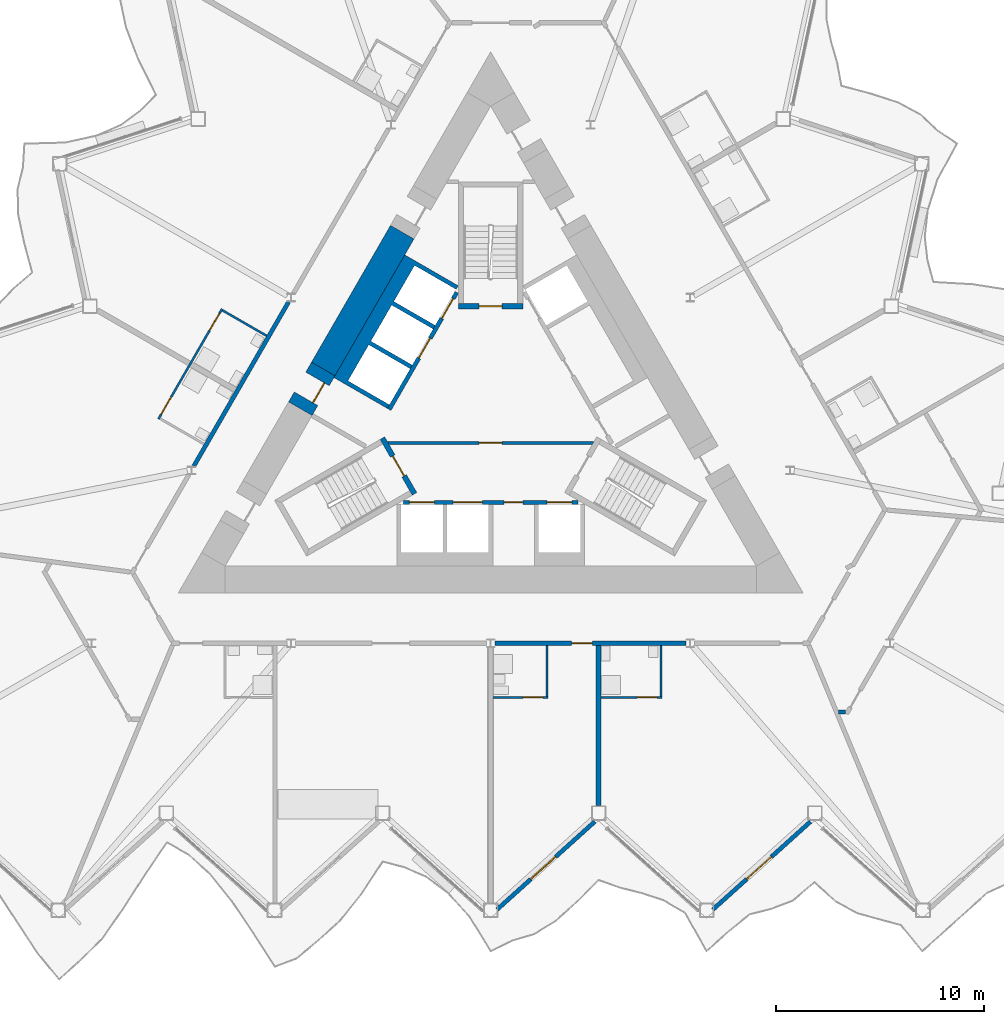
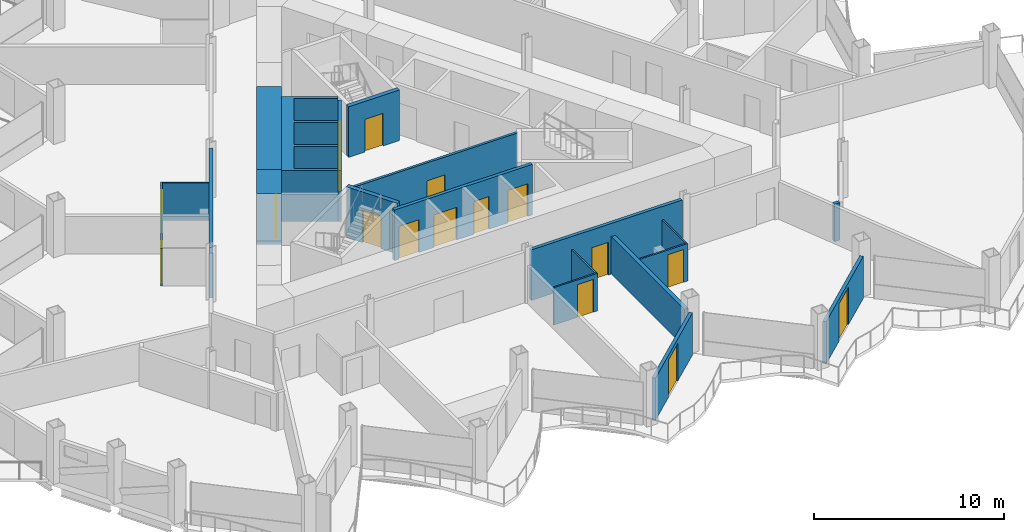
# One storey, part 12 of 23: 20 walls, 17 doors, 17 openings.
"""IFC4 building model written with IfcOpenShell, lengths in metres."""

from ifc_helpers import new_model, si_unit, direction, frame, frame_2d, origin, place, context, subcontext, project, spatial, polyline, rectangle, outline, extrude, material, layer, layer_set, type_object, element, fill, save


model = new_model("IFC4")

# Units and contexts
model_context = context("Model", 3, precision=1e-05, world=origin(), true_north=direction((0.0, 1.0)))
body_context = subcontext(model_context, "Body", "Model", "MODEL_VIEW")
ifc_project = project(units=[si_unit("LENGTHUNIT", "METRE"), si_unit("AREAUNIT", "SQUARE_METRE"), si_unit("VOLUMEUNIT", "CUBIC_METRE"), si_unit("PLANEANGLEUNIT", "RADIAN"), si_unit("MASSUNIT", "GRAM", prefix="KILO")], contexts=[model_context])

# Site, building, storey
site_placement = place(None, origin())
site = spatial("IfcSite", under=ifc_project, at=site_placement, CompositionType="ELEMENT")
building_placement = place(site_placement, origin())
building = spatial("IfcBuilding", under=site, at=building_placement, Name="Cormorant Prow Tower", CompositionType="ELEMENT")
storey_placement = place(building_placement, frame((0.0, 0.0, 259.800048828125)))
storey = spatial("IfcBuildingStorey", under=building, at=storey_placement, Name="L58", CompositionType="ELEMENT", Elevation=259.800048828125)

# Wall, opening, door
ifc_material_1 = material(Name="Gypsum board partition")
ifc_layer_1 = layer(ifc_material_1, 0.14990234375)
ifc_layer_set_1 = layer_set([ifc_layer_1], Name="Gypsum board partition")
wall_type_1 = type_object("IfcWallType", Name="Core partition 150", PredefinedType="PARTITIONING", material=ifc_layer_set_1)
wall_1_placement = place(storey_placement, frame((-4.941162109375, -1.449951171875, 0.0), z_axis=(0.0, 0.0, 1.0), x_axis=(1.0, 0.0, 0.0)))
wall_1 = element("IfcWall", 1, at=wall_1_placement, inside=storey, type_object=wall_type_1, Name="Firefighting lobby partition", PredefinedType="PARTITIONING", context=body_context, shape_type="SweptSolid", body=[
    extrude(rectangle(XDim=9.88232421875, YDim=0.14990234375, at=frame_2d((4.941162109375, 0.0))), origin(), (0.0, 0.0, 1.0), 3.25),
])
opening_1_placement = place(wall_1_placement, frame((4.39111328125, 0.0, 0.0)))
opening_1 = element("IfcOpeningElement", 2, at=opening_1_placement, cuts=wall_1, Name="Opening L58-C10", PredefinedType="OPENING", context=body_context, shape_type="SweptSolid", body=[
    extrude(rectangle(XDim=1.10009765625, YDim=2.10009765625, at=frame_2d((0.550048828125, 1.050048828125))), frame((0.0, 0.0849609375, 0.0), z_axis=(0.0, -1.0, 0.0), x_axis=(1.0, 0.0, 0.0)), (0.0, 0.0, 1.0), 0.169921875),
])
ifc_material_2 = material(Name="Painted steel", Category="steel")
door_type_1 = type_object("IfcDoorType", Name="Firefighting lobby door 1100x2100", OperationType="NOTDEFINED", PredefinedType="DOOR", material=ifc_material_2)
door_1_placement = place(opening_1_placement, origin())
door_1 = element("IfcDoor", 3, at=door_1_placement, inside=storey, type_object=door_type_1, Name="Firefighting lobby door", OperationType="SINGLE_SWING_RIGHT", OverallHeight=2.10009765625, OverallWidth=1.10009765625, PredefinedType="DOOR", context=body_context, shape_type="SweptSolid", body=[
    extrude(rectangle(XDim=1.10009765625, YDim=2.10009765625, at=frame_2d((0.550048828125, 1.050048828125))), frame((0.0, 0.02490234375, 0.0), z_axis=(0.0, -1.0, 0.0), x_axis=(1.0, 0.0, 0.0)), (0.0, 0.0, 1.0), 0.050048828125),
])
fill(opening_1, door_1)

# Wall
ifc_material_3 = material(Name="Concrete 8000 psi", Category="concrete")
ifc_layer_2 = layer(ifc_material_3, 1.300048828125)
ifc_layer_set_2 = layer_set([ifc_layer_2], Name="Concrete 8000 psi")
wall_type_2 = type_object("IfcWallType", Name="Core shear wall 1300", PredefinedType="SHEAR", material=ifc_layer_set_2)
wall_2_placement = place(storey_placement, frame((-4.2451171875, 8.667724609375, 0.0), z_axis=(0.0, 0.0, 1.0), x_axis=(-0.500002971097, -0.866023688414, 0.0)))
element("IfcWall", 4, at=wall_2_placement, inside=storey, type_object=wall_type_2, Name="Core wall", PredefinedType="SHEAR", context=body_context, shape_type="SweptSolid", body=[
    extrude(rectangle(XDim=7.583984375, YDim=1.300048828125, at=frame_2d((3.7919921875, 0.0))), origin(), (0.0, 0.0, 1.0), 3.25),
])

# Wall, opening, door
wall_3_placement = place(storey_placement, frame((-8.037109375, 2.099853515625, 0.0), z_axis=(0.0, 0.0, 1.0), x_axis=(-0.50002983664, -0.866008176907, 0.0)))
wall_3 = element("IfcWall", 5, at=wall_3_placement, inside=storey, type_object=wall_type_2, Name="Core wall door panel", PredefinedType="SHEAR", context=body_context, shape_type="SweptSolid", body=[
    extrude(rectangle(XDim=2.199951171875, YDim=1.300048828125, at=frame_2d((1.10009765625, 0.0))), origin(), (0.0, 0.0, 1.0), 3.25),
])
opening_2_placement = place(wall_3_placement, frame((0.550048828125, 0.0, 0.0)))
opening_2 = element("IfcOpeningElement", 6, at=opening_2_placement, cuts=wall_3, Name="Opening L58-C19", PredefinedType="OPENING", context=body_context, shape_type="SweptSolid", body=[
    extrude(rectangle(XDim=1.10009765625, YDim=2.10009765625, at=frame_2d((0.550048828125, 1.050048828125))), frame((0.0, 0.659912109375, 0.0), z_axis=(0.0, -1.0, 0.0), x_axis=(1.0, 0.0, 0.0)), (0.0, 0.0, 1.0), 1.320068359375),
])
ifc_material_4 = material(Name="Painted steel", Category="steel")
door_type_2 = type_object("IfcDoorType", Name="Core door 1100x2100", OperationType="NOTDEFINED", PredefinedType="DOOR", material=ifc_material_4)
door_2_placement = place(opening_2_placement, origin())
door_2 = element("IfcDoor", 7, at=door_2_placement, inside=storey, type_object=door_type_2, Name="Core door, lift lobby", OperationType="SINGLE_SWING_RIGHT", OverallHeight=2.10009765625, OverallWidth=1.10009765625, PredefinedType="DOOR", context=body_context, shape_type="SweptSolid", body=[
    extrude(rectangle(XDim=1.10009765625, YDim=2.10009765625, at=frame_2d((0.550048828125, 1.050048828125))), frame((0.0, 0.40478515625, 0.0), z_axis=(0.0, -1.0, 0.0), x_axis=(1.0, 0.0, 0.0)), (0.0, 0.0, 1.0), 0.050048828125),
])
fill(opening_2, door_2)

ifc_material_5 = material(Name="Gypsum board corridor wall")
ifc_layer_3 = layer(ifc_material_5, 0.199951171875)
ifc_layer_set_3 = layer_set([ifc_layer_3], Name="Gypsum board corridor wall")
wall_type_3 = type_object("IfcWallType", Name="Corridor wall 200", PredefinedType="PARTITIONING", material=ifc_layer_set_3)
wall_4_placement = place(storey_placement, frame((0.20947265625, -11.060302734375, 0.0), z_axis=(0.0, 0.0, 1.0), x_axis=(1.0, 0.0, 0.0)))
wall_4 = element("IfcWall", 8, at=wall_4_placement, inside=storey, type_object=wall_type_3, Name="Corridor wall", PredefinedType="PARTITIONING", context=body_context, shape_type="SweptSolid", body=[
    extrude(rectangle(XDim=9.159423828125, YDim=0.199951171875, at=frame_2d((4.57958984375, 0.0))), origin(), (0.0, 0.0, 1.0), 3.25),
])
opening_3_placement = place(wall_4_placement, frame((3.676513671875, 0.0, 0.0)))
opening_3 = element("IfcOpeningElement", 9, at=opening_3_placement, cuts=wall_4, Name="Opening L58-F04", PredefinedType="OPENING", context=body_context, shape_type="SweptSolid", body=[
    extrude(rectangle(XDim=1.0, YDim=2.10009765625, at=frame_2d((0.5, 1.050048828125))), frame((0.0, 0.10986328125, 0.0), z_axis=(0.0, -1.0, 0.0), x_axis=(1.0, 0.0, 0.0)), (0.0, 0.0, 1.0), 0.219970703125),
])
ifc_material_6 = material(Name="Timber door leaf", Category="wood")
door_type_3 = type_object("IfcDoorType", Name="Flat or room entrance door 1000x2100", OperationType="NOTDEFINED", PredefinedType="DOOR", material=ifc_material_6)
door_3_placement = place(opening_3_placement, origin())
door_3 = element("IfcDoor", 10, at=door_3_placement, inside=storey, type_object=door_type_3, Name="Guest room door", OperationType="SINGLE_SWING_RIGHT", OverallHeight=2.10009765625, OverallWidth=1.0, PredefinedType="DOOR", context=body_context, shape_type="SweptSolid", body=[
    extrude(rectangle(XDim=1.0, YDim=2.10009765625, at=frame_2d((0.5, 1.050048828125))), frame((0.0, 0.02490234375, 0.0), z_axis=(0.0, -1.0, 0.0), x_axis=(1.0, 0.0, 0.0)), (0.0, 0.0, 1.0), 0.050048828125),
])
fill(opening_3, door_3)

# Walls
wall_5_placement = place(storey_placement, frame((-14.24658203125, -2.5556640625, 0.0), z_axis=(0.0, 0.0, 1.0), x_axis=(0.49998193945, 0.866035830797, 0.0)))
element("IfcWall", 11, at=wall_5_placement, inside=storey, type_object=wall_type_3, Name="Corridor wall", PredefinedType="PARTITIONING", context=body_context, shape_type="SweptSolid", body=[
    extrude(rectangle(XDim=9.094482421875, YDim=0.199951171875, at=frame_2d((4.54736328125, 0.0))), origin(), (0.0, 0.0, 1.0), 3.25),
])
ifc_material_7 = material(Name="Gypsum board demising wall")
ifc_layer_4 = layer(ifc_material_7, 0.199951171875)
ifc_layer_set_4 = layer_set([ifc_layer_4], Name="Gypsum board demising wall")
wall_type_4 = type_object("IfcWallType", Name="Demising wall 200", PredefinedType="PARTITIONING", material=ifc_layer_set_4)
wall_6_placement = place(storey_placement, frame((16.69775390625, -14.3603515625, 0.0), z_axis=(0.0, 0.0, 1.0), x_axis=(1.0, 0.0, 0.0)))
element("IfcWall", 12, at=wall_6_placement, inside=storey, type_object=wall_type_4, Name="Demising wall", PredefinedType="PARTITIONING", context=body_context, shape_type="SweptSolid", body=[
    extrude(rectangle(XDim=0.33837890625, YDim=0.199951171875, at=frame_2d((0.169189453125, 0.0))), origin(), (0.0, 0.0, 1.0), 2.404052734375),
])

# Wall, openings, doors
ifc_material_8 = material(Name="Gypsum board partition")
ifc_layer_5 = layer(ifc_material_8, 0.10009765625)
ifc_layer_set_5 = layer_set([ifc_layer_5], Name="Gypsum board partition")
wall_type_5 = type_object("IfcWallType", Name="Internal partition 100", PredefinedType="PARTITIONING", material=ifc_layer_set_5)
wall_7_placement = place(storey_placement, frame((-15.94482421875, -0.296875, 0.0), z_axis=(0.0, 0.0, 1.0), x_axis=(0.499978833458, 0.866037623948, 0.0)))
wall_7 = element("IfcWall", 13, at=wall_7_placement, inside=storey, type_object=wall_type_5, Name="Internal partition", PredefinedType="PARTITIONING", context=body_context, shape_type="SweptSolid", body=[
    extrude(rectangle(XDim=6.099853515625, YDim=0.10009765625, at=frame_2d((3.0498046875, 0.0))), origin(), (0.0, 0.0, 1.0), 2.404052734375),
])
opening_4_placement = place(wall_7_placement, frame((4.89990234375, 0.0, 0.0)))
opening_4 = element("IfcOpeningElement", 14, at=opening_4_placement, cuts=wall_7, Name="Opening L58-F22", PredefinedType="OPENING", context=body_context, shape_type="SweptSolid", body=[
    extrude(rectangle(XDim=0.949951171875, YDim=2.10009765625, at=frame_2d((0.47509765625, 1.050048828125))), frame((0.0, 0.06005859375, 0.0), z_axis=(0.0, -1.0, 0.0), x_axis=(1.0, 0.0, 0.0)), (0.0, 0.0, 1.0), 0.1201171875),
])
opening_5_placement = place(wall_7_placement, frame((0.25, 0.0, 0.0)))
opening_5 = element("IfcOpeningElement", 15, at=opening_5_placement, cuts=wall_7, Name="Opening L58-F24", PredefinedType="OPENING", context=body_context, shape_type="SweptSolid", body=[
    extrude(rectangle(XDim=0.949951171875, YDim=2.10009765625, at=frame_2d((0.47509765625, 1.050048828125))), frame((0.0, 0.06005859375, 0.0), z_axis=(0.0, -1.0, 0.0), x_axis=(1.0, 0.0, 0.0)), (0.0, 0.0, 1.0), 0.1201171875),
])
ifc_material_9 = material(Name="Timber door leaf", Category="wood")
door_type_4 = type_object("IfcDoorType", Name="Bathroom door 950x2100", OperationType="NOTDEFINED", PredefinedType="DOOR", material=ifc_material_9)
door_4_placement = place(opening_4_placement, origin())
door_4 = element("IfcDoor", 16, at=door_4_placement, inside=storey, type_object=door_type_4, Name="Executive suite bedroom door", OperationType="SINGLE_SWING_RIGHT", OverallHeight=2.10009765625, OverallWidth=0.949951171875, PredefinedType="DOOR", context=body_context, shape_type="SweptSolid", body=[
    extrude(rectangle(XDim=0.949951171875, YDim=2.10009765625, at=frame_2d((0.47509765625, 1.050048828125))), frame((0.0, 0.02490234375, 0.0), z_axis=(0.0, -1.0, 0.0), x_axis=(1.0, 0.0, 0.0)), (0.0, 0.0, 1.0), 0.050048828125),
])
fill(opening_4, door_4)
door_5_placement = place(opening_5_placement, origin())
door_5 = element("IfcDoor", 17, at=door_5_placement, inside=storey, type_object=door_type_4, Name="Executive suite bedroom door", OperationType="SINGLE_SWING_LEFT", OverallHeight=2.10009765625, OverallWidth=0.949951171875, PredefinedType="DOOR", context=body_context, shape_type="SweptSolid", body=[
    extrude(rectangle(XDim=0.949951171875, YDim=2.10009765625, at=frame_2d((0.47509765625, 1.050048828125))), frame((0.0, 0.02490234375, 0.0), z_axis=(0.0, -1.0, 0.0), x_axis=(1.0, 0.0, 0.0)), (0.0, 0.0, 1.0), 0.050048828125),
])
fill(opening_5, door_5)

# Wall, opening, door
wall_8_placement = place(storey_placement, frame((5.304443359375, -13.660400390625, 0.0), z_axis=(0.0, 0.0, 1.0), x_axis=(1.0, 0.0, 0.0)))
wall_8 = element("IfcWall", 18, at=wall_8_placement, inside=storey, type_object=wall_type_5, Name="Internal partition", PredefinedType="PARTITIONING", context=body_context, shape_type="SweptSolid", body=[
    extrude(rectangle(XDim=2.925048828125, YDim=0.10009765625, at=frame_2d((1.46240234375, 0.0))), origin(), (0.0, 0.0, 1.0), 2.404052734375),
])
opening_6_placement = place(wall_8_placement, frame((1.72509765625, 0.0, 0.0)))
opening_6 = element("IfcOpeningElement", 19, at=opening_6_placement, cuts=wall_8, Name="Opening L58-F07", PredefinedType="OPENING", context=body_context, shape_type="SweptSolid", body=[
    extrude(rectangle(XDim=0.949951171875, YDim=2.10009765625, at=frame_2d((0.47509765625, 1.050048828125))), frame((0.0, 0.06005859375, 0.0), z_axis=(0.0, -1.0, 0.0), x_axis=(1.0, 0.0, 0.0)), (0.0, 0.0, 1.0), 0.1201171875),
])
door_6_placement = place(opening_6_placement, origin())
door_6 = element("IfcDoor", 20, at=door_6_placement, inside=storey, type_object=door_type_4, Name="Executive suite bedroom door", OperationType="SINGLE_SWING_RIGHT", OverallHeight=2.10009765625, OverallWidth=0.949951171875, PredefinedType="DOOR", context=body_context, shape_type="SweptSolid", body=[
    extrude(rectangle(XDim=0.949951171875, YDim=2.10009765625, at=frame_2d((0.47509765625, 1.050048828125))), frame((0.0, 0.02490234375, 0.0), z_axis=(0.0, -1.0, 0.0), x_axis=(1.0, 0.0, 0.0)), (0.0, 0.0, 1.0), 0.050048828125),
])
fill(opening_6, door_6)

wall_9_placement = place(storey_placement, frame((0.10009765625, -13.660400390625, 0.0), z_axis=(0.0, 0.0, 1.0), x_axis=(1.0, 0.0, 0.0)))
wall_9 = element("IfcWall", 21, at=wall_9_placement, inside=storey, type_object=wall_type_5, Name="Internal partition", PredefinedType="PARTITIONING", context=body_context, shape_type="SweptSolid", body=[
    extrude(rectangle(XDim=2.64990234375, YDim=0.10009765625, at=frame_2d((1.324951171875, 0.0))), origin(), (0.0, 0.0, 1.0), 2.404052734375),
])
opening_7_placement = place(wall_9_placement, frame((1.449951171875, 0.0, 0.0)))
opening_7 = element("IfcOpeningElement", 22, at=opening_7_placement, cuts=wall_9, Name="Opening L58-F05", PredefinedType="OPENING", context=body_context, shape_type="SweptSolid", body=[
    extrude(rectangle(XDim=0.949951171875, YDim=2.10009765625, at=frame_2d((0.47509765625, 1.050048828125))), frame((0.0, 0.06005859375, 0.0), z_axis=(0.0, -1.0, 0.0), x_axis=(1.0, 0.0, 0.0)), (0.0, 0.0, 1.0), 0.1201171875),
])
door_7_placement = place(opening_7_placement, origin())
door_7 = element("IfcDoor", 23, at=door_7_placement, inside=storey, type_object=door_type_4, Name="Guest room door", OperationType="SINGLE_SWING_RIGHT", OverallHeight=2.10009765625, OverallWidth=0.949951171875, PredefinedType="DOOR", context=body_context, shape_type="SweptSolid", body=[
    extrude(rectangle(XDim=0.949951171875, YDim=2.10009765625, at=frame_2d((0.47509765625, 1.050048828125))), frame((0.0, 0.02490234375, 0.0), z_axis=(0.0, -1.0, 0.0), x_axis=(1.0, 0.0, 0.0)), (0.0, 0.0, 1.0), 0.050048828125),
])
fill(opening_7, door_7)

# Walls
for number, where, z_axis, x_axis, name in (
    (24, (-12.876708984375, 4.91748046875, 0.0), (0.0, 0.0, 1.0), (0.866057815567, -0.499943856944, 0.0), "Internal partition"),
    (25, (2.699951171875, -13.6103515625, 0.0), (0.0, 0.0, 1.0), (0.0, 1.0, 0.0), "Internal partition"),
    (26, (8.179443359375, -13.6103515625, 0.0), (0.0, 0.0, 1.0), (0.0, 1.0, 0.0), "Internal partition"),
):
    element("IfcWall", number, at=place(storey_placement, frame(where, z_axis=z_axis, x_axis=x_axis)), inside=storey, type_object=wall_type_5, Name=name, PredefinedType="PARTITIONING", context=body_context, shape_type="SweptSolid", body=[
        extrude(rectangle(XDim=2.449951171875, YDim=0.10009765625, at=frame_2d((1.22509765625, 0.0))), origin(), (0.0, 0.0, 1.0), 2.404052734375),
    ])

# Wall, openings, doors
ifc_material_10 = material(Name="Concrete 5000 psi", Category="concrete")
ifc_layer_6 = layer(ifc_material_10, 0.199951171875)
ifc_layer_set_6 = layer_set([ifc_layer_6], Name="Concrete 5000 psi")
wall_type_6 = type_object("IfcWallType", Name="Lift lobby wall 200", PredefinedType="SOLIDWALL", material=ifc_layer_set_6)
wall_10_placement = place(storey_placement, frame((-4.1865234375, -4.300048828125, 0.0), z_axis=(0.0, 0.0, 1.0), x_axis=(1.0, 0.0, 0.0)))
wall_10 = element("IfcWall", 27, at=wall_10_placement, inside=storey, type_object=wall_type_6, Name="Lift lobby wall, S block", PredefinedType="SOLIDWALL", context=body_context, shape_type="SweptSolid", body=[
    extrude(rectangle(XDim=8.373046875, YDim=0.199951171875, at=frame_2d((4.1865234375, 0.0))), origin(), (0.0, 0.0, 1.0), 3.25),
])
opening_8_placement = place(wall_10_placement, frame((0.28662109375, 0.0, 0.0)))
opening_8 = element("IfcOpeningElement", 28, at=opening_8_placement, cuts=wall_10, Name="Opening L58-C01", PredefinedType="OPENING", context=body_context, shape_type="SweptSolid", body=[
    extrude(rectangle(XDim=1.199951171875, YDim=2.10009765625, at=frame_2d((0.60009765625, 1.050048828125))), frame((0.0, 0.10986328125, 0.0), z_axis=(0.0, -1.0, 0.0), x_axis=(1.0, 0.0, 0.0)), (0.0, 0.0, 1.0), 0.219970703125),
])
opening_9_placement = place(wall_10_placement, frame((2.38671875, 0.0, 0.0)))
opening_9 = element("IfcOpeningElement", 29, at=opening_9_placement, cuts=wall_10, Name="Opening L58-C02", PredefinedType="OPENING", context=body_context, shape_type="SweptSolid", body=[
    extrude(rectangle(XDim=1.39990234375, YDim=2.10009765625, at=frame_2d((0.699951171875, 1.050048828125))), frame((0.0, 0.10986328125, 0.0), z_axis=(0.0, -1.0, 0.0), x_axis=(1.0, 0.0, 0.0)), (0.0, 0.0, 1.0), 0.219970703125),
])
opening_10_placement = place(wall_10_placement, frame((4.836669921875, 0.0, 0.0)))
opening_10 = element("IfcOpeningElement", 30, at=opening_10_placement, cuts=wall_10, Name="Opening L58-C03", PredefinedType="OPENING", context=body_context, shape_type="SweptSolid", body=[
    extrude(rectangle(XDim=0.89990234375, YDim=2.10009765625, at=frame_2d((0.449951171875, 1.050048828125))), frame((0.0, 0.10986328125, 0.0), z_axis=(0.0, -1.0, 0.0), x_axis=(1.0, 0.0, 0.0)), (0.0, 0.0, 1.0), 0.219970703125),
])
opening_11_placement = place(wall_10_placement, frame((6.88671875, 0.0, 0.0)))
opening_11 = element("IfcOpeningElement", 31, at=opening_11_placement, cuts=wall_10, Name="Opening L58-C04", PredefinedType="OPENING", context=body_context, shape_type="SweptSolid", body=[
    extrude(rectangle(XDim=1.199951171875, YDim=2.10009765625, at=frame_2d((0.60009765625, 1.050048828125))), frame((0.0, 0.10986328125, 0.0), z_axis=(0.0, -1.0, 0.0), x_axis=(1.0, 0.0, 0.0)), (0.0, 0.0, 1.0), 0.219970703125),
])
ifc_material_11 = material(Name="Painted steel", Category="steel")
door_type_5 = type_object("IfcDoorType", Name="Firefighting lift landing door 1200x2100", OperationType="SLIDING_TO_LEFT", PredefinedType="DOOR", material=ifc_material_11)
door_8_placement = place(opening_8_placement, origin())
door_8 = element("IfcDoor", 32, at=door_8_placement, inside=storey, type_object=door_type_5, Name="Landing door FL1", OperationType="SLIDING_TO_LEFT", OverallHeight=2.10009765625, OverallWidth=1.199951171875, PredefinedType="DOOR", context=body_context, shape_type="SweptSolid", body=[
    extrude(rectangle(XDim=1.199951171875, YDim=2.10009765625, at=frame_2d((0.60009765625, 1.050048828125))), frame((0.0, 0.02490234375, 0.0), z_axis=(0.0, -1.0, 0.0), x_axis=(1.0, 0.0, 0.0)), (0.0, 0.0, 1.0), 0.050048828125),
])
fill(opening_8, door_8)
door_9_placement = place(opening_11_placement, origin())
door_9 = element("IfcDoor", 33, at=door_9_placement, inside=storey, type_object=door_type_5, Name="Landing door FL2", OperationType="SLIDING_TO_LEFT", OverallHeight=2.10009765625, OverallWidth=1.199951171875, PredefinedType="DOOR", context=body_context, shape_type="SweptSolid", body=[
    extrude(rectangle(XDim=1.199951171875, YDim=2.10009765625, at=frame_2d((0.60009765625, 1.050048828125))), frame((0.0, 0.02490234375, 0.0), z_axis=(0.0, -1.0, 0.0), x_axis=(1.0, 0.0, 0.0)), (0.0, 0.0, 1.0), 0.050048828125),
])
fill(opening_11, door_9)
ifc_material_12 = material(Name="Painted steel", Category="steel")
door_type_6 = type_object("IfcDoorType", Name="Service door 900x2100", OperationType="NOTDEFINED", PredefinedType="DOOR", material=ifc_material_12)
door_10_placement = place(opening_10_placement, origin())
door_10 = element("IfcDoor", 34, at=door_10_placement, inside=storey, type_object=door_type_6, Name="Service door, Refuse store", OperationType="SINGLE_SWING_RIGHT", OverallHeight=2.10009765625, OverallWidth=0.89990234375, PredefinedType="DOOR", context=body_context, shape_type="SweptSolid", body=[
    extrude(rectangle(XDim=0.89990234375, YDim=2.10009765625, at=frame_2d((0.449951171875, 1.050048828125))), frame((0.0, 0.02490234375, 0.0), z_axis=(0.0, -1.0, 0.0), x_axis=(1.0, 0.0, 0.0)), (0.0, 0.0, 1.0), 0.050048828125),
])
fill(opening_10, door_10)
ifc_material_13 = material(Name="Painted steel", Category="steel")
door_type_7 = type_object("IfcDoorType", Name="Service lift landing door 1400x2100", OperationType="SLIDING_TO_LEFT", PredefinedType="DOOR", material=ifc_material_13)
door_11_placement = place(opening_9_placement, origin())
door_11 = element("IfcDoor", 35, at=door_11_placement, inside=storey, type_object=door_type_7, Name="Landing door SL1", OperationType="SLIDING_TO_LEFT", OverallHeight=2.10009765625, OverallWidth=1.39990234375, PredefinedType="DOOR", context=body_context, shape_type="SweptSolid", body=[
    extrude(rectangle(XDim=1.39990234375, YDim=2.10009765625, at=frame_2d((0.699951171875, 1.050048828125))), frame((0.0, 0.02490234375, 0.0), z_axis=(0.0, -1.0, 0.0), x_axis=(1.0, 0.0, 0.0)), (0.0, 0.0, 1.0), 0.050048828125),
])
fill(opening_9, door_11)

wall_11_placement = place(storey_placement, frame((-1.630615234375, 5.775634765625, 0.0), z_axis=(0.0, 0.0, 1.0), x_axis=(-0.499992876559, -0.866029516466, 0.0)))
wall_11 = element("IfcWall", 36, at=wall_11_placement, inside=storey, type_object=wall_type_6, Name="Lift lobby wall, WNW block", PredefinedType="SOLIDWALL", context=body_context, shape_type="SweptSolid", body=[
    extrude(rectangle(XDim=6.486328125, YDim=0.199951171875, at=frame_2d((3.2431640625, 0.0))), origin(), (0.0, 0.0, 1.0), 3.25),
])
opening_12_placement = place(wall_11_placement, frame((0.336669921875, 0.0, 0.0)))
opening_12 = element("IfcOpeningElement", 37, at=opening_12_placement, cuts=wall_11, Name="Opening L58-C08", PredefinedType="OPENING", context=body_context, shape_type="SweptSolid", body=[
    extrude(rectangle(XDim=1.10009765625, YDim=2.10009765625, at=frame_2d((0.550048828125, 1.050048828125))), frame((0.0, 0.10986328125, 0.0), z_axis=(0.0, -1.0, 0.0), x_axis=(1.0, 0.0, 0.0)), (0.0, 0.0, 1.0), 0.219970703125),
])
opening_13_placement = place(wall_11_placement, frame((2.53662109375, 0.0, 0.0)))
opening_13 = element("IfcOpeningElement", 38, at=opening_13_placement, cuts=wall_11, Name="Opening L58-C09", PredefinedType="OPENING", context=body_context, shape_type="SweptSolid", body=[
    extrude(rectangle(XDim=1.10009765625, YDim=2.10009765625, at=frame_2d((0.550048828125, 1.050048828125))), frame((0.0, 0.10986328125, 0.0), z_axis=(0.0, -1.0, 0.0), x_axis=(1.0, 0.0, 0.0)), (0.0, 0.0, 1.0), 0.219970703125),
])
ifc_material_14 = material(Name="Painted steel", Category="steel")
door_type_8 = type_object("IfcDoorType", Name="Lift landing door 1100x2100", OperationType="SLIDING_TO_LEFT", PredefinedType="DOOR", material=ifc_material_14)
door_12_placement = place(opening_12_placement, origin())
door_12 = element("IfcDoor", 39, at=door_12_placement, inside=storey, type_object=door_type_8, Name="Landing door MR2", OperationType="SLIDING_TO_LEFT", OverallHeight=2.10009765625, OverallWidth=1.10009765625, PredefinedType="DOOR", context=body_context, shape_type="SweptSolid", body=[
    extrude(rectangle(XDim=1.10009765625, YDim=2.10009765625, at=frame_2d((0.550048828125, 1.050048828125))), frame((0.0, 0.02490234375, 0.0), z_axis=(0.0, -1.0, 0.0), x_axis=(1.0, 0.0, 0.0)), (0.0, 0.0, 1.0), 0.050048828125),
])
fill(opening_12, door_12)
door_13_placement = place(opening_13_placement, origin())
door_13 = element("IfcDoor", 40, at=door_13_placement, inside=storey, type_object=door_type_8, Name="Landing door MR3", OperationType="SLIDING_TO_LEFT", OverallHeight=2.10009765625, OverallWidth=1.10009765625, PredefinedType="DOOR", context=body_context, shape_type="SweptSolid", body=[
    extrude(rectangle(XDim=1.10009765625, YDim=2.10009765625, at=frame_2d((0.550048828125, 1.050048828125))), frame((0.0, 0.02490234375, 0.0), z_axis=(0.0, -1.0, 0.0), x_axis=(1.0, 0.0, 0.0)), (0.0, 0.0, 1.0), 0.050048828125),
])
fill(opening_13, door_13)

# Wall
ifc_material_15 = material(Name="Concrete 8000 psi", Category="concrete")
ifc_layer_7 = layer(ifc_material_15, 0.199951171875)
ifc_layer_set_7 = layer_set([ifc_layer_7], Name="Concrete 8000 psi")
wall_type_7 = type_object("IfcWallType", Name="Lift shaft wall 200", PredefinedType="SHEAR", material=ifc_layer_set_7)
wall_12_placement = place(storey_placement, origin())
element("IfcWall", 41, at=wall_12_placement, inside=storey, type_object=wall_type_7, Name="Lift shaft walls, WNW block", PredefinedType="SHEAR", context=body_context, shape_type="SweptSolid", body=[
    extrude(outline(polyline([(-7.524169921875, 1.688232421875), (-4.124267578125, 7.5771484375), (-3.730712890625, 7.35009765625), (-1.560546875, 6.09716796875), (-1.660400390625, 5.923828125), (-3.65234375, 7.073974609375), (-4.65234375, 5.341796875), (-2.660400390625, 4.19189453125), (-2.760498046875, 4.018798828125), (-4.75244140625, 5.168701171875), (-5.75244140625, 3.4365234375), (-3.760498046875, 2.28662109375), (-3.860595703125, 2.11328125), (-5.852294921875, 3.263427734375), (-6.852294921875, 1.53125), (-4.860595703125, 0.38134765625), (-4.96044921875, 0.2080078125), (-7.130859375, 1.461181640625), (-7.524169921875, 1.688232421875)])), origin(), (0.0, 0.0, 1.0), 3.25),
])

# Wall, opening, door
ifc_material_16 = material(Name="Concrete 8000 psi", Category="concrete")
ifc_layer_8 = layer(ifc_material_16, 0.25)
ifc_layer_set_8 = layer_set([ifc_layer_8], Name="Concrete 8000 psi")
wall_type_8 = type_object("IfcWallType", Name="Stair wall 250", PredefinedType="SHEAR", material=ifc_layer_set_8)
wall_13_placement = place(storey_placement, frame((-5.198974609375, -1.21875, 0.0), z_axis=(0.0, 0.0, 1.0), x_axis=(0.499982516597, -0.866035497597, 0.0)))
wall_13 = element("IfcWall", 42, at=wall_13_placement, inside=storey, type_object=wall_type_8, Name="Stair ST1 door wall", PredefinedType="SHEAR", context=body_context, shape_type="SweptSolid", body=[
    extrude(rectangle(XDim=3.087890625, YDim=0.25, at=frame_2d((1.5439453125, 0.0))), origin(), (0.0, 0.0, 1.0), 3.25),
])
opening_14_placement = place(wall_13_placement, frame((0.993896484375, 0.0, 0.0)))
opening_14 = element("IfcOpeningElement", 43, at=opening_14_placement, cuts=wall_13, Name="Opening L58-C11", PredefinedType="OPENING", context=body_context, shape_type="SweptSolid", body=[
    extrude(rectangle(XDim=1.10009765625, YDim=2.10009765625, at=frame_2d((0.550048828125, 1.050048828125))), frame((0.0, 0.135009765625, 0.0), z_axis=(0.0, -1.0, 0.0), x_axis=(1.0, 0.0, 0.0)), (0.0, 0.0, 1.0), 0.27001953125),
])
ifc_material_17 = material(Name="Painted steel", Category="steel")
door_type_9 = type_object("IfcDoorType", Name="Stair door 1100x2100", OperationType="NOTDEFINED", PredefinedType="DOOR", material=ifc_material_17)
door_14_placement = place(opening_14_placement, origin())
door_14 = element("IfcDoor", 44, at=door_14_placement, inside=storey, type_object=door_type_9, Name="Stair ST1 door", OperationType="SINGLE_SWING_LEFT", OverallHeight=2.10009765625, OverallWidth=1.10009765625, PredefinedType="DOOR", context=body_context, shape_type="SweptSolid", body=[
    extrude(rectangle(XDim=1.10009765625, YDim=2.10009765625, at=frame_2d((0.550048828125, 1.050048828125))), frame((0.0, 0.02490234375, 0.0), z_axis=(0.0, -1.0, 0.0), x_axis=(1.0, 0.0, 0.0)), (0.0, 0.0, 1.0), 0.050048828125),
])
fill(opening_14, door_14)

wall_14_placement = place(storey_placement, frame((1.5439453125, 5.11181640625, 0.0), z_axis=(0.0, 0.0, 1.0), x_axis=(-1.0, 0.0, 0.0)))
wall_14 = element("IfcWall", 45, at=wall_14_placement, inside=storey, type_object=wall_type_8, Name="Stair ST3 door wall", PredefinedType="SHEAR", context=body_context, shape_type="SweptSolid", body=[
    extrude(rectangle(XDim=3.087890625, YDim=0.25, at=frame_2d((1.5439453125, 0.0))), origin(), (0.0, 0.0, 1.0), 3.25),
])
opening_15_placement = place(wall_14_placement, frame((0.993896484375, 0.0, 0.0)))
opening_15 = element("IfcOpeningElement", 46, at=opening_15_placement, cuts=wall_14, Name="Opening L58-C13", PredefinedType="OPENING", context=body_context, shape_type="SweptSolid", body=[
    extrude(rectangle(XDim=1.10009765625, YDim=2.10009765625, at=frame_2d((0.550048828125, 1.050048828125))), frame((0.0, 0.135009765625, 0.0), z_axis=(0.0, -1.0, 0.0), x_axis=(1.0, 0.0, 0.0)), (0.0, 0.0, 1.0), 0.27001953125),
])
door_15_placement = place(opening_15_placement, origin())
door_15 = element("IfcDoor", 47, at=door_15_placement, inside=storey, type_object=door_type_9, Name="Stair ST3 door", OperationType="SINGLE_SWING_RIGHT", OverallHeight=2.10009765625, OverallWidth=1.10009765625, PredefinedType="DOOR", context=body_context, shape_type="SweptSolid", body=[
    extrude(rectangle(XDim=1.10009765625, YDim=2.10009765625, at=frame_2d((0.550048828125, 1.050048828125))), frame((0.0, 0.02490234375, 0.0), z_axis=(0.0, -1.0, 0.0), x_axis=(1.0, 0.0, 0.0)), (0.0, 0.0, 1.0), 0.050048828125),
])
fill(opening_15, door_15)

# Wall
ifc_material_18 = material(Name="Acoustic gypsum party wall")
ifc_layer_9 = layer(ifc_material_18, 0.25)
ifc_layer_set_9 = layer_set([ifc_layer_9], Name="Acoustic gypsum party wall")
wall_type_9 = type_object("IfcWallType", Name="Suite party wall 250", PredefinedType="PARTITIONING", material=ifc_layer_set_9)
wall_15_placement = place(storey_placement, frame((5.179443359375, -18.85546875, 0.0), z_axis=(0.0, 0.0, 1.0), x_axis=(0.0, 1.0, 0.0)))
element("IfcWall", 48, at=wall_15_placement, inside=storey, type_object=wall_type_9, Name="Suite party wall", PredefinedType="PARTITIONING", context=body_context, shape_type="SweptSolid", body=[
    extrude(rectangle(XDim=7.695068359375, YDim=0.25, at=frame_2d((3.84765625, 0.0))), origin(), (0.0, 0.0, 1.0), 2.404052734375),
])

# Wall, opening, door
ifc_material_19 = material(Name="Terracotta", Category="masonry")
ifc_layer_10 = layer(ifc_material_19, 0.199951171875)
ifc_layer_set_10 = layer_set([ifc_layer_10], Name="Terracotta")
wall_type_10 = type_object("IfcWallType", Name="Terracotta jamb wall 200", PredefinedType="SOLIDWALL", material=ifc_layer_set_10)
wall_16_placement = place(storey_placement, frame((0.305419921875, -23.84765625, 0.0), z_axis=(0.0, 0.0, 1.0), x_axis=(0.74314024121, 0.669135697668, 0.0)))
wall_16 = element("IfcWall", 49, at=wall_16_placement, inside=storey, type_object=wall_type_10, Name="Terracotta jamb wall S05", PredefinedType="SOLIDWALL", context=body_context, shape_type="SweptSolid", body=[
    extrude(rectangle(XDim=6.31103515625, YDim=0.199951171875, at=frame_2d((3.155517578125, 0.0))), origin(), (0.0, 0.0, 1.0), 2.700927734375),
])
opening_16_placement = place(wall_16_placement, frame((2.183837890625, 0.0, 0.0)))
opening_16 = element("IfcOpeningElement", 50, at=opening_16_placement, cuts=wall_16, Name="Opening ED58.03", PredefinedType="OPENING", context=body_context, shape_type="SweptSolid", body=[
    extrude(rectangle(XDim=1.60009765625, YDim=2.39990234375, at=frame_2d((0.800048828125, 1.199951171875))), frame((0.0, 0.10986328125, 0.0), z_axis=(0.0, -1.0, 0.0), x_axis=(1.0, 0.0, 0.0)), (0.0, 0.0, 1.0), 0.219970703125),
])
ifc_material_20 = material(Name="Aluminium 6063-T6", Category="aluminium")
door_type_10 = type_object("IfcDoorType", Name="Balcony door 1600x2400", OperationType="DOUBLE_DOOR_SINGLE_SWING", PredefinedType="DOOR", material=ifc_material_20)
door_16_placement = place(opening_16_placement, origin())
door_16 = element("IfcDoor", 51, at=door_16_placement, inside=storey, type_object=door_type_10, Name="Balcony door S05 ED58.03", OperationType="DOUBLE_DOOR_SINGLE_SWING", OverallHeight=2.39990234375, OverallWidth=1.60009765625, PredefinedType="DOOR", context=body_context, shape_type="SweptSolid", body=[
    extrude(rectangle(XDim=1.60009765625, YDim=2.39990234375, at=frame_2d((0.800048828125, 1.199951171875))), frame((0.0, 0.02490234375, 0.0), z_axis=(0.0, -1.0, 0.0), x_axis=(1.0, 0.0, 0.0)), (0.0, 0.0, 1.0), 0.050048828125),
])
fill(opening_16, door_16)

wall_17_placement = place(storey_placement, frame((10.664306640625, -23.84765625, 0.0), z_axis=(0.0, 0.0, 1.0), x_axis=(0.74314024121, 0.669135697668, 0.0)))
wall_17 = element("IfcWall", 52, at=wall_17_placement, inside=storey, type_object=wall_type_10, Name="Terracotta jamb wall S07", PredefinedType="SOLIDWALL", context=body_context, shape_type="SweptSolid", body=[
    extrude(rectangle(XDim=6.31103515625, YDim=0.199951171875, at=frame_2d((3.155517578125, 0.0))), origin(), (0.0, 0.0, 1.0), 2.700927734375),
])
opening_17_placement = place(wall_17_placement, frame((2.183837890625, 0.0, 0.0)))
opening_17 = element("IfcOpeningElement", 53, at=opening_17_placement, cuts=wall_17, Name="Opening ED58.04", PredefinedType="OPENING", context=body_context, shape_type="SweptSolid", body=[
    extrude(rectangle(XDim=1.60009765625, YDim=2.39990234375, at=frame_2d((0.800048828125, 1.199951171875))), frame((0.0, 0.10986328125, 0.0), z_axis=(0.0, -1.0, 0.0), x_axis=(1.0, 0.0, 0.0)), (0.0, 0.0, 1.0), 0.219970703125),
])
door_17_placement = place(opening_17_placement, origin())
door_17 = element("IfcDoor", 54, at=door_17_placement, inside=storey, type_object=door_type_10, Name="Balcony door S07 ED58.04", OperationType="DOUBLE_DOOR_SINGLE_SWING", OverallHeight=2.39990234375, OverallWidth=1.60009765625, PredefinedType="DOOR", context=body_context, shape_type="SweptSolid", body=[
    extrude(rectangle(XDim=1.60009765625, YDim=2.39990234375, at=frame_2d((0.800048828125, 1.199951171875))), frame((0.0, 0.02490234375, 0.0), z_axis=(0.0, -1.0, 0.0), x_axis=(1.0, 0.0, 0.0)), (0.0, 0.0, 1.0), 0.050048828125),
])
fill(opening_17, door_17)

save(model, "model.ifc")
